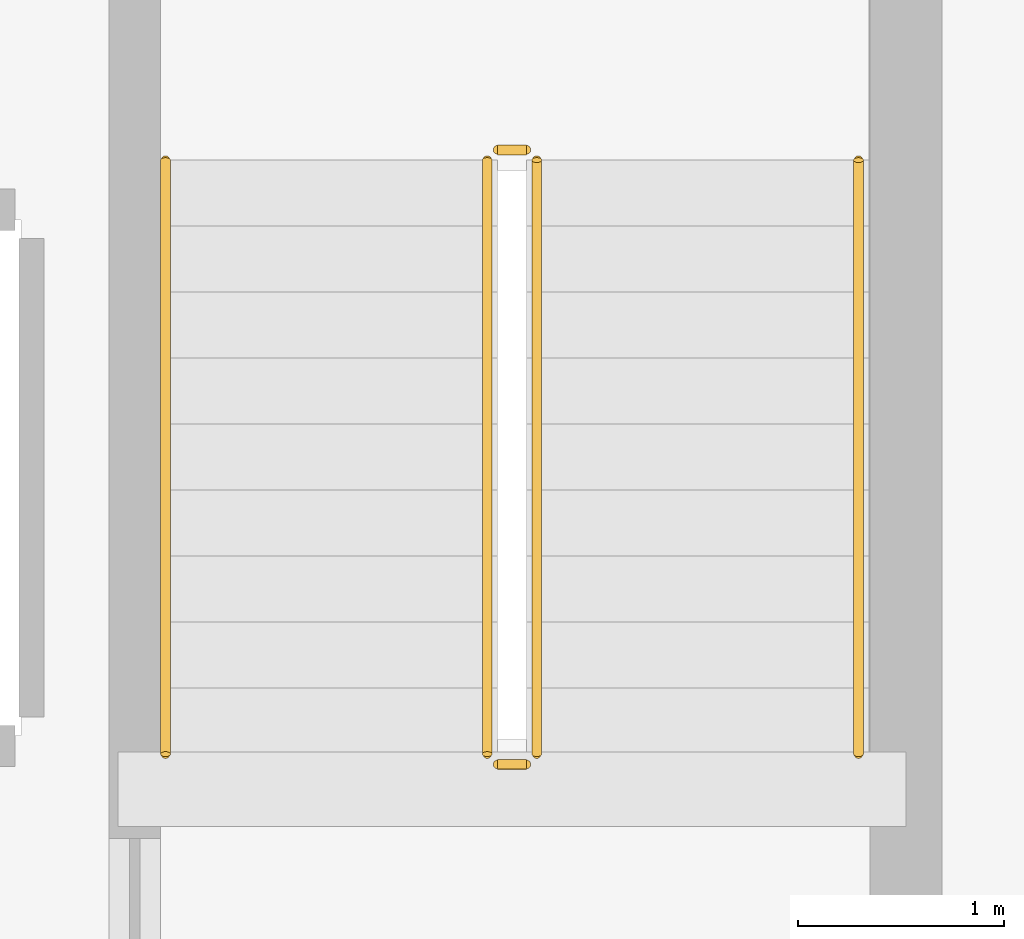
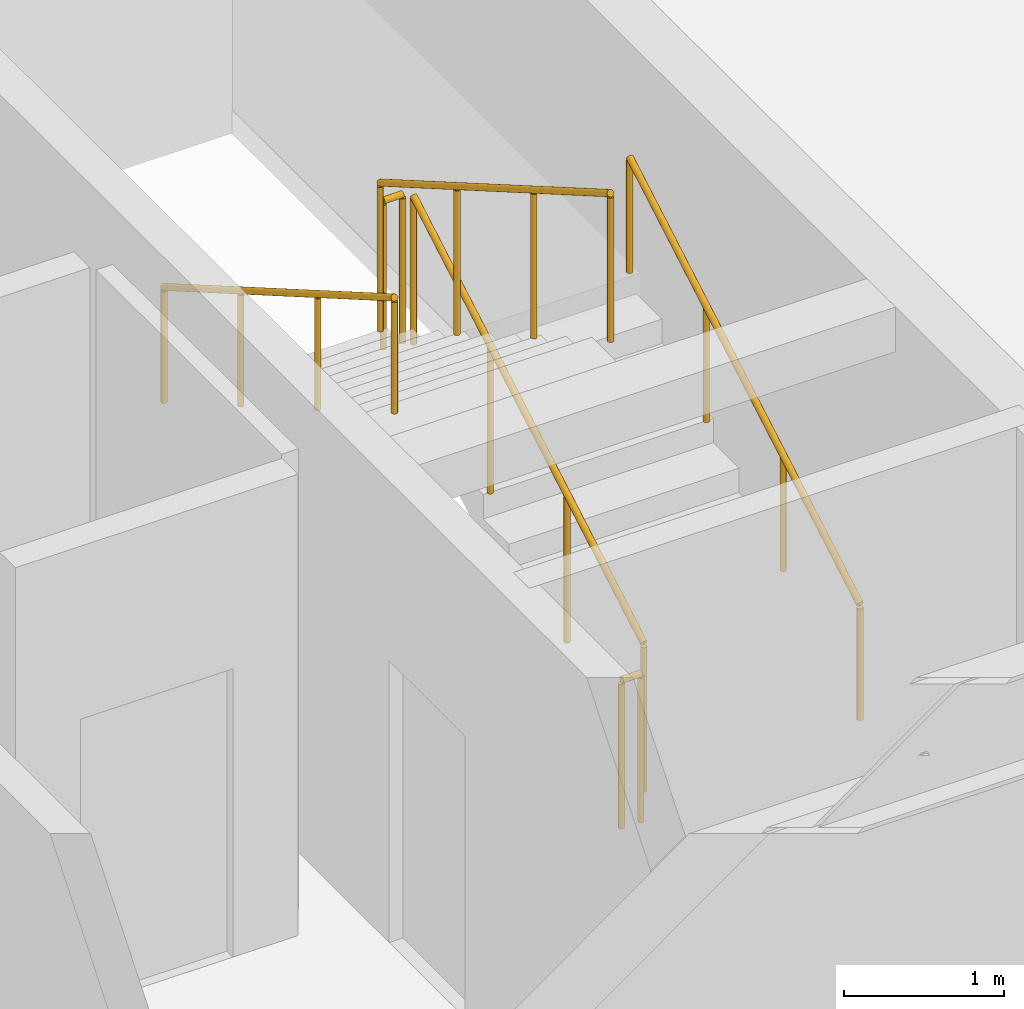
# One storey, part 22 of 22: 6 railings.
"""IFC4 building model written with IfcOpenShell, lengths in metres."""

from ifc_helpers import new_model, si_unit, direction, frame, origin, origin_2d, place, context, subcontext, project, spatial, circle, extrude, material, layer, layer_set, type_object, element, save


model = new_model("IFC4")

# Units and contexts
model_context = context("Model", 3, precision=1e-05, world=origin(), true_north=direction((0.0, 1.0)))
body_context = subcontext(model_context, "Body", "Model", "MODEL_VIEW")
ifc_project = project(units=[si_unit("LENGTHUNIT", "METRE"), si_unit("AREAUNIT", "SQUARE_METRE"), si_unit("VOLUMEUNIT", "CUBIC_METRE"), si_unit("PLANEANGLEUNIT", "RADIAN"), si_unit("MASSUNIT", "GRAM", prefix="KILO")], contexts=[model_context])

# Site, building, storey
site_placement = place(None, origin())
site = spatial("IfcSite", under=ifc_project, at=site_placement, CompositionType="ELEMENT")
building_placement = place(site_placement, origin())
building = spatial("IfcBuilding", under=site, at=building_placement, Name="Kallvorn Hotel Tower", CompositionType="ELEMENT")
storey_placement = place(building_placement, frame((0.0, 0.0, 102.60009765625)))
storey = spatial("IfcBuildingStorey", under=building, at=storey_placement, Name="L24", CompositionType="ELEMENT", Elevation=102.60009765625)

# Railings
ifc_material_1 = material(Name="Brushed stainless-steel tubular railing", Category="steel")
ifc_layer_1 = layer(ifc_material_1, 0.050048828125)
ifc_layer_set_1 = layer_set([ifc_layer_1], Name="RL_STAIR_GUARD")
railing_type_1 = type_object("IfcRailingType", Name="RL_STAIR_GUARD", PredefinedType="GUARDRAIL", material=ifc_layer_set_1)
railing_1_placement = place(storey_placement, frame((12.449951171875, -3.139892578125, 0.184814453125)))
element("IfcRailing", 1, at=railing_1_placement, inside=storey, type_object=railing_type_1, Name="L24 ST2 stair guard 1", PredefinedType="GUARDRAIL", context=body_context, shape_type="SweptSolid", body=[
    extrude(circle(Radius=0.02392578125, at=origin_2d()), frame((0.0, 0.0, 1.1259765625), z_axis=(0.0, 0.865720918037, 0.500527014328), x_axis=(-1.0, 0.0, 0.0)), (0.0, 0.0, 1.0), 3.32666015625),
    extrude(circle(Radius=0.02099609375, at=origin_2d()), origin(), (0.0, 0.0, 1.0), 1.101806640625),
    extrude(circle(Radius=0.02099609375, at=origin_2d()), frame((0.0, 0.9599609375, 0.554931640625)), (0.0, 0.0, 1.0), 1.101806640625),
    extrude(circle(Radius=0.02099609375, at=origin_2d()), frame((0.0, 1.919921875, 1.110107421875)), (0.0, 0.0, 1.0), 1.101806640625),
    extrude(circle(Radius=0.02099609375, at=origin_2d()), frame((0.0, 2.8798828125, 1.6650390625)), (0.0, 0.0, 1.0), 1.101806640625),
])
railing_2_placement = place(storey_placement, frame((12.39990234375, -0.2099609375, 1.849853515625)))
element("IfcRailing", 2, at=railing_2_placement, inside=storey, type_object=railing_type_1, Name="L24 ST2 stair guard 2", PredefinedType="GUARDRAIL", context=body_context, shape_type="SweptSolid", body=[
    extrude(circle(Radius=0.02392578125, at=origin_2d()), frame((0.0, 0.0, 1.1259765625), z_axis=(-1.0, 0.0, 0.0), x_axis=(0.0, -1.0, 0.0)), (0.0, 0.0, 1.0), 0.139892578125),
    extrude(circle(Radius=0.02099609375, at=origin_2d()), origin(), (0.0, 0.0, 1.0), 1.101806640625),
    extrude(circle(Radius=0.02099609375, at=origin_2d()), frame((-0.139892578125, 0.0, 0.0)), (0.0, 0.0, 1.0), 1.101806640625),
])
railing_3_placement = place(storey_placement, frame((12.2099609375, -0.260009765625, 2.034912109375)))
element("IfcRailing", 3, at=railing_3_placement, inside=storey, type_object=railing_type_1, Name="L24 ST2 stair guard 3", PredefinedType="GUARDRAIL", context=body_context, shape_type="SweptSolid", body=[
    extrude(circle(Radius=0.02392578125, at=origin_2d()), frame((0.0, 0.0, 1.1259765625), z_axis=(0.0, -0.865720918037, 0.500527014328), x_axis=(1.0, 0.0, 0.0)), (0.0, 0.0, 1.0), 3.32666015625),
    extrude(circle(Radius=0.02099609375, at=origin_2d()), origin(), (0.0, 0.0, 1.0), 1.101806640625),
    extrude(circle(Radius=0.02099609375, at=origin_2d()), frame((0.0, -0.9599609375, 0.554931640625)), (0.0, 0.0, 1.0), 1.101806640625),
    extrude(circle(Radius=0.02099609375, at=origin_2d()), frame((0.0, -1.919921875, 1.110107421875)), (0.0, 0.0, 1.0), 1.101806640625),
    extrude(circle(Radius=0.02099609375, at=origin_2d()), frame((0.0, -2.8798828125, 1.6650390625)), (0.0, 0.0, 1.0), 1.101806640625),
])
railing_4_placement = place(storey_placement, frame((12.39990234375, -3.18994140625, 0.0)))
element("IfcRailing", 4, at=railing_4_placement, inside=storey, type_object=railing_type_1, Name="L24 ST2 stair guard 4", PredefinedType="GUARDRAIL", context=body_context, shape_type="SweptSolid", body=[
    extrude(circle(Radius=0.02392578125, at=origin_2d()), frame((0.0, 0.0, 1.1259765625), z_axis=(-1.0, 0.0, 0.0), x_axis=(0.0, -1.0, 0.0)), (0.0, 0.0, 1.0), 0.139892578125),
    extrude(circle(Radius=0.02099609375, at=origin_2d()), origin(), (0.0, 0.0, 1.0), 1.101806640625),
    extrude(circle(Radius=0.02099609375, at=origin_2d()), frame((-0.139892578125, 0.0, 0.0)), (0.0, 0.0, 1.0), 1.101806640625),
])
ifc_material_2 = material(Name="Brushed stainless-steel tubular railing", Category="steel")
ifc_layer_2 = layer(ifc_material_2, 0.050048828125)
ifc_layer_set_2 = layer_set([ifc_layer_2], Name="RL_STAIR_HAND")
railing_type_2 = type_object("IfcRailingType", Name="RL_STAIR_HAND", PredefinedType="HANDRAIL", material=ifc_layer_set_2)
railing_5_placement = place(storey_placement, frame((14.010009765625, -3.139892578125, 0.184814453125)))
element("IfcRailing", 5, at=railing_5_placement, inside=storey, type_object=railing_type_2, Name="L24 ST2 stair handrail 1", PredefinedType="HANDRAIL", context=body_context, shape_type="SweptSolid", body=[
    extrude(circle(Radius=0.02392578125, at=origin_2d()), frame((0.0, 0.0, 0.8759765625), z_axis=(0.0, 0.865720918037, 0.500527014328), x_axis=(-1.0, 0.0, 0.0)), (0.0, 0.0, 1.0), 3.32666015625),
    extrude(circle(Radius=0.02099609375, at=origin_2d()), origin(), (0.0, 0.0, 1.0), 0.851806640625),
    extrude(circle(Radius=0.02099609375, at=origin_2d()), frame((0.0, 0.9599609375, 0.554931640625)), (0.0, 0.0, 1.0), 0.851806640625),
    extrude(circle(Radius=0.02099609375, at=origin_2d()), frame((0.0, 1.919921875, 1.110107421875)), (0.0, 0.0, 1.0), 0.851806640625),
    extrude(circle(Radius=0.02099609375, at=origin_2d()), frame((0.0, 2.8798828125, 1.6650390625)), (0.0, 0.0, 1.0), 0.851806640625),
])
railing_6_placement = place(storey_placement, frame((10.64990234375, -0.260009765625, 2.034912109375)))
element("IfcRailing", 6, at=railing_6_placement, inside=storey, type_object=railing_type_2, Name="L24 ST2 stair handrail 2", PredefinedType="HANDRAIL", context=body_context, shape_type="SweptSolid", body=[
    extrude(circle(Radius=0.02392578125, at=origin_2d()), frame((0.0, 0.0, 0.8759765625), z_axis=(0.0, -0.865720918037, 0.500527014328), x_axis=(1.0, 0.0, 0.0)), (0.0, 0.0, 1.0), 3.32666015625),
    extrude(circle(Radius=0.02099609375, at=origin_2d()), origin(), (0.0, 0.0, 1.0), 0.851806640625),
    extrude(circle(Radius=0.02099609375, at=origin_2d()), frame((0.0, -0.9599609375, 0.554931640625)), (0.0, 0.0, 1.0), 0.851806640625),
    extrude(circle(Radius=0.02099609375, at=origin_2d()), frame((0.0, -1.919921875, 1.110107421875)), (0.0, 0.0, 1.0), 0.851806640625),
    extrude(circle(Radius=0.02099609375, at=origin_2d()), frame((0.0, -2.8798828125, 1.6650390625)), (0.0, 0.0, 1.0), 0.851806640625),
])

save(model, "model.ifc")
